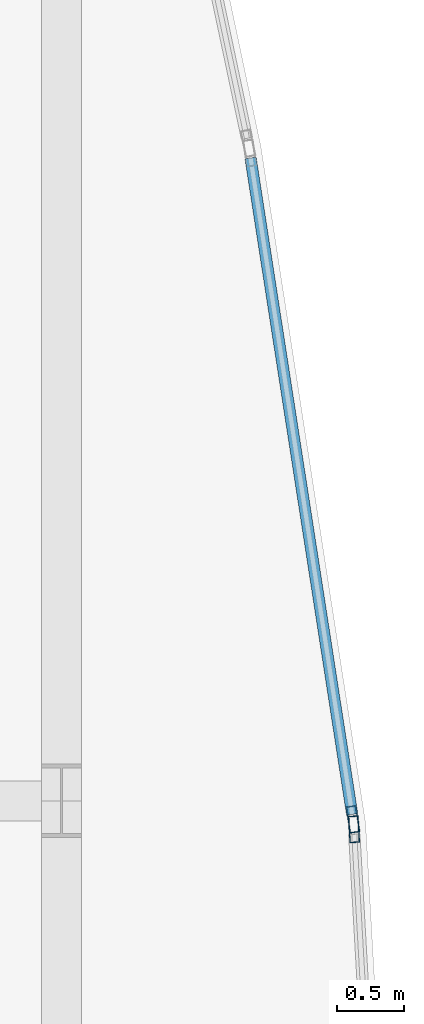
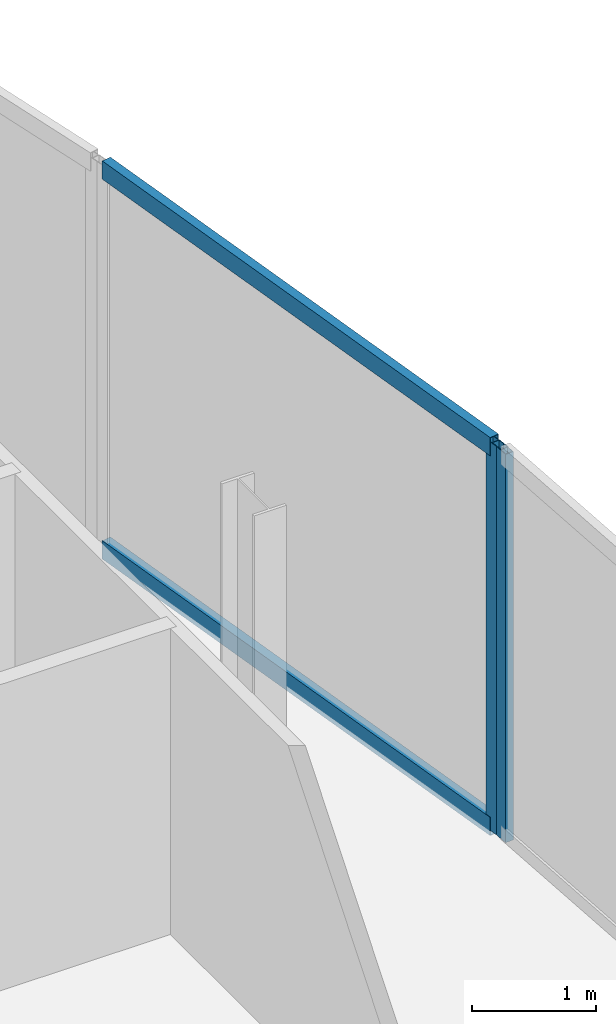
# One storey, part 24 of 35: 4 members, 2 elements without a shape of their own.
"""IFC4 building model written with IfcOpenShell, lengths in metres."""

from ifc_helpers import new_model, si_unit, direction, frame, origin, origin_2d, place, context, subcontext, project, spatial, hollow_rectangle, extrude, material, material_profile, profile_set, type_object, element, aggregate, save


model = new_model("IFC4")

# Units and contexts
model_context = context("Model", 3, precision=1e-05, world=origin(), true_north=direction((0.0, 1.0)))
body_context = subcontext(model_context, "Body", "Model", "MODEL_VIEW")
ifc_project = project(units=[si_unit("LENGTHUNIT", "METRE"), si_unit("AREAUNIT", "SQUARE_METRE"), si_unit("VOLUMEUNIT", "CUBIC_METRE"), si_unit("PLANEANGLEUNIT", "RADIAN"), si_unit("MASSUNIT", "GRAM", prefix="KILO")], contexts=[model_context])

# Site, building, storey
site_placement = place(None, origin())
site = spatial("IfcSite", under=ifc_project, at=site_placement, CompositionType="ELEMENT")
building_placement = place(site_placement, origin())
building = spatial("IfcBuilding", under=site, at=building_placement, Name="Khoronbel Lancet Exchange", CompositionType="ELEMENT")
storey_placement = place(building_placement, frame((0.0, 0.0, 53.800048828125)))
storey = spatial("IfcBuildingStorey", under=building, at=storey_placement, Name="L12", CompositionType="ELEMENT", Elevation=53.800048828125)

# Curtain wall, member
ifc_material_1 = material(Name="Low-E Solar Control Insulating Glass", Category="glass")
curtain_wall_type = type_object("IfcCurtainWallType", Name="CW-4", PredefinedType="NOTDEFINED", material=ifc_material_1)
curtain_wall_1_placement = place(storey_placement, origin())
curtain_wall_1 = element("IfcCurtainWall", 1, at=curtain_wall_1_placement, inside=storey, type_object=curtain_wall_type, Name="Unitised curtain wall CW-L12-E18", PredefinedType="NOTDEFINED")
ifc_material_2 = material(Name="Bronze-Anodised Aluminium 6063-T6", Category="aluminium")
ifc_material_profile_1 = material_profile(ifc_material_2, hollow_rectangle(XDim=0.074951171875, YDim=0.199951171875, WallThickness=0.0048828125, at=origin_2d()), Name="ALU MULLION 75x200")
ifc_profile_set_1 = profile_set([ifc_material_profile_1], Name="Bronze-Anodised Aluminium 6063-T6")
member_type_1 = type_object("IfcMemberType", Name="MEM-CWM2", PredefinedType="MULLION", material=ifc_profile_set_1)
member_1_placement = place(storey_placement, frame((73.816650390625, 35.560791015625, 0.0), z_axis=(0.0, 0.0, 1.0), x_axis=(0.988225870473, 0.153002055303, 0.0)))
member_1 = element("IfcMember", 2, at=member_1_placement, type_object=member_type_1, Name="CW4 mullion 2", PredefinedType="MULLION", context=body_context, shape_type="SweptSolid", body=[
    extrude(hollow_rectangle(XDim=0.074951171875, YDim=0.199951171875, WallThickness=0.0048828125, at=origin_2d()), origin(), (0.0, 0.0, 1.0), 3.820068359375),
])

curtain_wall_2_placement = place(storey_placement, origin())
curtain_wall_2 = element("IfcCurtainWall", 3, at=curtain_wall_2_placement, inside=storey, type_object=curtain_wall_type, Name="Unitised curtain wall CW-L12-E19", PredefinedType="NOTDEFINED")
member_2_placement = place(storey_placement, frame((73.824462890625, 35.486328125, 0.0), z_axis=(0.0, 0.0, 1.0), x_axis=(0.998398471263, 0.056572896157, 0.0)))
member_2 = element("IfcMember", 4, at=member_2_placement, type_object=member_type_1, Name="CW4 mullion 1", PredefinedType="MULLION", context=body_context, shape_type="SweptSolid", body=[
    extrude(hollow_rectangle(XDim=0.074951171875, YDim=0.199951171875, WallThickness=0.0048828125, at=origin_2d()), origin(), (0.0, 0.0, 1.0), 3.820068359375),
])
aggregate(curtain_wall_2, [member_2])

# Member
ifc_material_profile_2 = material_profile(ifc_material_2, hollow_rectangle(XDim=0.0849609375, YDim=0.179931640625, WallThickness=0.0048828125, at=origin_2d()), Name="ALU TRANSOM 85x180")
ifc_profile_set_2 = profile_set([ifc_material_profile_2], Name="Bronze-Anodised Aluminium 6063-T6")
member_type_2 = type_object("IfcMemberType", Name="MEM-CWT1", PredefinedType="USERDEFINED", material=ifc_profile_set_2)
member_3_placement = place(storey_placement, frame((73.0478515625, 40.5263671875, 0.04248046875), z_axis=(0.153028255295, -0.988221813704, 0.0), x_axis=(0.988221813704, 0.153028255295, 0.0)))
member_3 = element("IfcMember", 5, at=member_3_placement, type_object=member_type_2, Name="CW4 transom 1.1", ObjectType="TRANSOM", PredefinedType="USERDEFINED", context=body_context, shape_type="SweptSolid", body=[
    extrude(hollow_rectangle(XDim=0.0849609375, YDim=0.179931640625, WallThickness=0.0048828125, at=origin_2d()), origin(), (0.0, 0.0, 1.0), 4.9873046875),
])

member_4_placement = place(storey_placement, frame((73.0478515625, 40.5263671875, 3.77734375), z_axis=(0.153028255295, -0.988221813704, 0.0), x_axis=(0.988221813704, 0.153028255295, 0.0)))
member_4 = element("IfcMember", 6, at=member_4_placement, type_object=member_type_2, Name="CW4 transom 1.2", ObjectType="TRANSOM", PredefinedType="USERDEFINED", context=body_context, shape_type="SweptSolid", body=[
    extrude(hollow_rectangle(XDim=0.0849609375, YDim=0.179931640625, WallThickness=0.0048828125, at=origin_2d()), origin(), (0.0, 0.0, 1.0), 4.9873046875),
])

aggregate(curtain_wall_1, [member_1, member_3, member_4])

save(model, "model.ifc")
